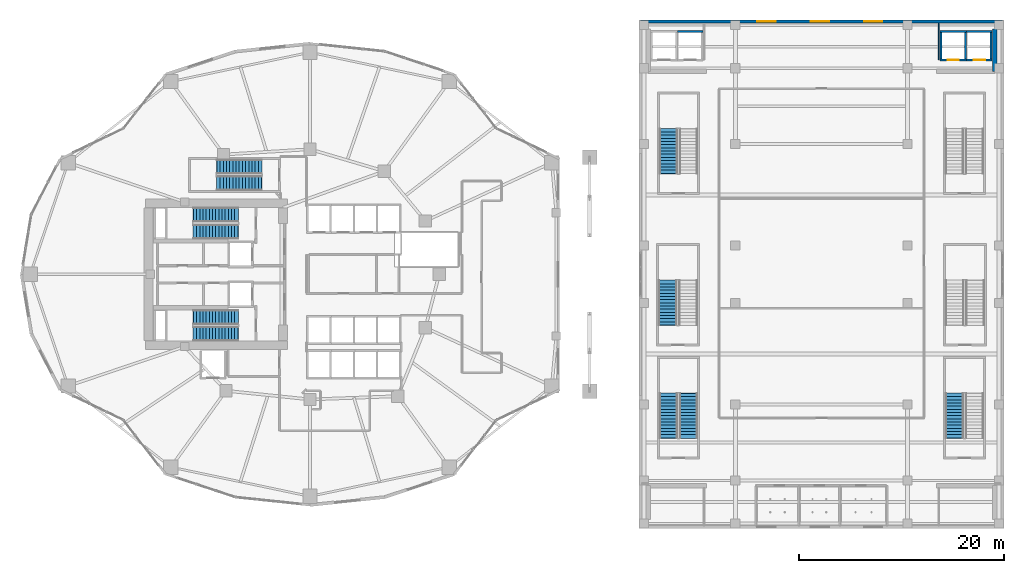
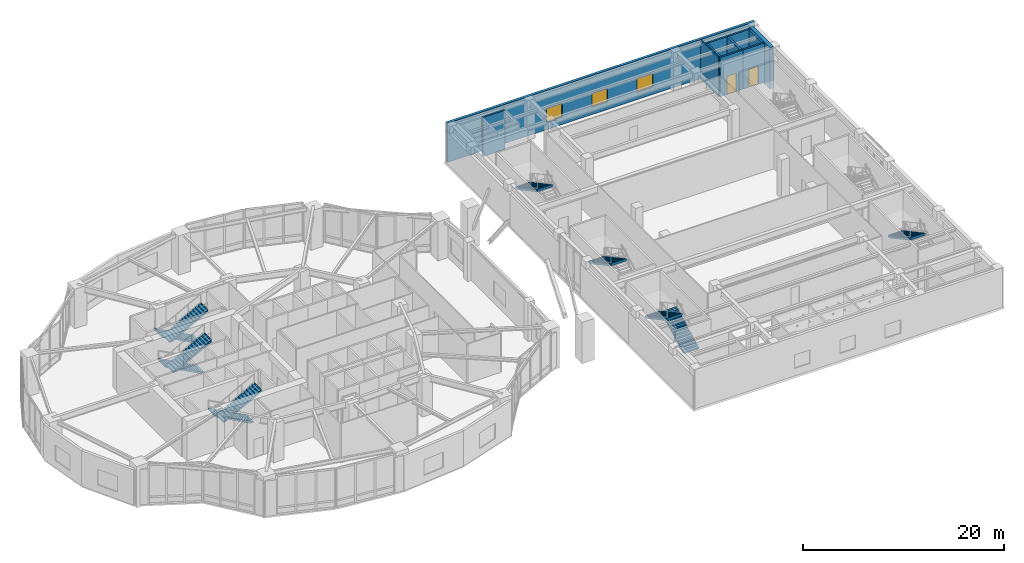
# One storey, part 19 of 24: 11 stair flights, 11 walls, 3 windows, 2 doors, 5 openings, 7 elements without a shape of their own.
"""IFC4 building model written with IfcOpenShell, lengths in metres."""

from ifc_helpers import new_model, si_unit, direction, frame, frame_2d, origin, place, context, subcontext, project, spatial, polyline, rectangle, outline, extrude, material, layer, layer_set, type_object, element, fill, aggregate, save


model = new_model("IFC4")

# Units and contexts
model_context = context("Model", 3, precision=1e-05, world=origin(), true_north=direction((0.0, 1.0)))
body_context = subcontext(model_context, "Body", "Model", "MODEL_VIEW")
ifc_project = project(units=[si_unit("LENGTHUNIT", "METRE"), si_unit("AREAUNIT", "SQUARE_METRE"), si_unit("VOLUMEUNIT", "CUBIC_METRE"), si_unit("PLANEANGLEUNIT", "RADIAN"), si_unit("MASSUNIT", "GRAM", prefix="KILO")], contexts=[model_context])

# Site, building, storey
site_placement = place(None, origin())
site = spatial("IfcSite", under=ifc_project, at=site_placement, CompositionType="ELEMENT")
building_placement = place(site_placement, origin())
building = spatial("IfcBuilding", under=site, at=building_placement, Name="Kolvaren Gate Tower and Convention Centre", CompositionType="ELEMENT")
storey_placement = place(building_placement, frame((0.0, 0.0, 10.0)))
storey = spatial("IfcBuildingStorey", under=building, at=storey_placement, Name="L02", CompositionType="ELEMENT", Elevation=10.0)

# Walls
ifc_material_1 = material(Name="Fire-Rated Acoustic Gypsum Stud Partition", Category="gypsum")
ifc_layer_1 = layer(ifc_material_1, 0.1201171875)
ifc_layer_set_1 = layer_set([ifc_layer_1], Name="Fire-Rated Acoustic Gypsum Stud Partition")
wall_type_1 = type_object("IfcWallType", Name="ARCH-WL-PART-120", PredefinedType="PARTITIONING", material=ifc_layer_set_1)
wall_1_placement = place(storey_placement, frame((91.449951171875, 47.89990234375, 0.0), z_axis=(0.0, 0.0, 1.0), x_axis=(0.0, 1.0, 0.0)))
element("IfcWall", 1, at=wall_1_placement, inside=storey, type_object=wall_type_1, Name="Interior Partition WL-L02-INT-052", PredefinedType="PARTITIONING", context=body_context, shape_type="SweptSolid", body=[
    extrude(rectangle(XDim=3.59814453125, YDim=0.1201171875, at=frame_2d((1.799072265625, 0.0))), origin(), (0.0, 0.0, 1.0), 4.760009765625),
])
ifc_material_2 = material(Name="Autoclaved Aerated Masonry Blockwork Class 4 (4.0 MPa)", Category="masonry")
ifc_layer_2 = layer(ifc_material_2, 0.199951171875)
ifc_layer_set_2 = layer_set([ifc_layer_2], Name="Autoclaved Aerated Masonry Blockwork Class 4 (4.0 MPa)")
wall_type_2 = type_object("IfcWallType", Name="ARCH-WL-SHAFT-200", PredefinedType="SOLIDWALL", material=ifc_layer_set_2)
wall_2_placement = place(storey_placement, frame((65.949951171875, 50.699951171875, 0.0), z_axis=(0.0, 0.0, 1.0), x_axis=(1.0, 0.0, 0.0)))
element("IfcWall", 2, at=wall_2_placement, inside=storey, type_object=wall_type_2, Name="Elevator CL-02 L02 Fire Shaft Wall N", PredefinedType="SOLIDWALL", context=body_context, shape_type="SweptSolid", body=[
    extrude(rectangle(XDim=2.5, YDim=0.199951171875, at=frame_2d((1.25, 0.0))), origin(), (0.0, 0.0, 1.0), 4.760009765625),
])
wall_3_placement = place(storey_placement, frame((91.550048828125, 50.699951171875, 0.0), z_axis=(0.0, 0.0, 1.0), x_axis=(1.0, 0.0, 0.0)))
element("IfcWall", 3, at=wall_3_placement, inside=storey, type_object=wall_type_2, Name="Elevator CL-03 L02 Fire Shaft Wall N", PredefinedType="SOLIDWALL", context=body_context, shape_type="SweptSolid", body=[
    extrude(rectangle(XDim=2.599853515625, YDim=0.199951171875, at=frame_2d((1.2998046875, 0.0))), origin(), (0.0, 0.0, 1.0), 4.760009765625),
])

# Wall, opening, door
wall_4_placement = place(storey_placement, frame((91.550048828125, 47.89990234375, 0.0), z_axis=(0.0, 0.0, 1.0), x_axis=(1.0, 0.0, 0.0)))
wall_4 = element("IfcWall", 4, at=wall_4_placement, inside=storey, type_object=wall_type_2, Name="Elevator CL-03 L02 Fire Shaft Wall S", PredefinedType="SOLIDWALL", context=body_context, shape_type="SweptSolid", body=[
    extrude(rectangle(XDim=2.599853515625, YDim=0.199951171875, at=frame_2d((1.2998046875, 0.0))), origin(), (0.0, 0.0, 1.0), 4.760009765625),
])
opening_1_placement = place(wall_4_placement, frame((0.75, 0.0, 0.0)))
opening_1 = element("IfcOpeningElement", 5, at=opening_1_placement, cuts=wall_4, Name="Opening LD", PredefinedType="OPENING", context=body_context, shape_type="SweptSolid", body=[
    extrude(rectangle(XDim=1.10009765625, YDim=2.199951171875, at=frame_2d((0.550048828125, 1.10009765625))), frame((0.0, 0.10986328125, 0.0), z_axis=(0.0, -1.0, 0.0), x_axis=(1.0, 0.0, 0.0)), (0.0, 0.0, 1.0), 0.219970703125),
])
ifc_material_3 = material(Name="Brushed Stainless Steel Grade 316L", Category="steel")
door_type = type_object("IfcDoorType", Name="ARCH-DR-LIFT-1100", OperationType="SLIDING_TO_LEFT", PredefinedType="DOOR", material=ifc_material_3)
door_1_placement = place(opening_1_placement, origin())
door_1 = element("IfcDoor", 6, at=door_1_placement, inside=storey, type_object=door_type, Name="Elevator CL-03 L02 Sliding Landing Door", OperationType="SLIDING_TO_LEFT", OverallHeight=2.199951171875, OverallWidth=1.10009765625, PredefinedType="DOOR", context=body_context, shape_type="SweptSolid", body=[
    extrude(rectangle(XDim=1.10009765625, YDim=2.199951171875, at=frame_2d((0.550048828125, 1.10009765625))), frame((0.0, 0.02490234375, 0.0), z_axis=(0.0, -1.0, 0.0), x_axis=(1.0, 0.0, 0.0)), (0.0, 0.0, 1.0), 0.050048828125),
])
fill(opening_1, door_1)

# Walls
for number, where, z_axis, x_axis, name in (
    (7, (91.64990234375, 48.010009765625, 0.0), (0.0, 0.0, 1.0), (0.0, 1.0, 0.0), "Elevator CL-03 L02 Fire Shaft Wall W"),
    (8, (94.050048828125, 48.010009765625, 0.0), (0.0, 0.0, 1.0), (0.0, 1.0, 0.0), "Elevator CL-03 L02 Fire Shaft Wall E"),
):
    element("IfcWall", number, at=place(storey_placement, frame(where, z_axis=z_axis, x_axis=x_axis)), inside=storey, type_object=wall_type_2, Name=name, PredefinedType="SOLIDWALL", context=body_context, shape_type="SweptSolid", body=[
        extrude(rectangle(XDim=2.580078125, YDim=0.199951171875, at=frame_2d((1.2900390625, 0.0))), origin(), (0.0, 0.0, 1.0), 4.760009765625),
    ])
wall_5_placement = place(storey_placement, frame((94.14990234375, 50.699951171875, 0.0), z_axis=(0.0, 0.0, 1.0), x_axis=(1.0, 0.0, 0.0)))
element("IfcWall", 9, at=wall_5_placement, inside=storey, type_object=wall_type_2, Name="Elevator CL-04 L02 Fire Shaft Wall N", PredefinedType="SOLIDWALL", context=body_context, shape_type="SweptSolid", body=[
    extrude(rectangle(XDim=2.5, YDim=0.199951171875, at=frame_2d((1.25, 0.0))), origin(), (0.0, 0.0, 1.0), 4.760009765625),
])

# Wall, opening, door
wall_6_placement = place(storey_placement, frame((94.14990234375, 47.89990234375, 0.0), z_axis=(0.0, 0.0, 1.0), x_axis=(1.0, 0.0, 0.0)))
wall_6 = element("IfcWall", 10, at=wall_6_placement, inside=storey, type_object=wall_type_2, Name="Elevator CL-04 L02 Fire Shaft Wall S", PredefinedType="SOLIDWALL", context=body_context, shape_type="SweptSolid", body=[
    extrude(rectangle(XDim=2.5, YDim=0.199951171875, at=frame_2d((1.25, 0.0))), origin(), (0.0, 0.0, 1.0), 4.760009765625),
])
opening_2_placement = place(wall_6_placement, frame((0.699951171875, 0.0, 0.0)))
opening_2 = element("IfcOpeningElement", 11, at=opening_2_placement, cuts=wall_6, Name="Opening LD", PredefinedType="OPENING", context=body_context, shape_type="SweptSolid", body=[
    extrude(rectangle(XDim=1.10009765625, YDim=2.199951171875, at=frame_2d((0.550048828125, 1.10009765625))), frame((0.0, 0.10986328125, 0.0), z_axis=(0.0, -1.0, 0.0), x_axis=(1.0, 0.0, 0.0)), (0.0, 0.0, 1.0), 0.219970703125),
])
door_2_placement = place(opening_2_placement, origin())
door_2 = element("IfcDoor", 12, at=door_2_placement, inside=storey, type_object=door_type, Name="Elevator CL-04 L02 Sliding Landing Door", OperationType="SLIDING_TO_LEFT", OverallHeight=2.199951171875, OverallWidth=1.10009765625, PredefinedType="DOOR", context=body_context, shape_type="SweptSolid", body=[
    extrude(rectangle(XDim=1.10009765625, YDim=2.199951171875, at=frame_2d((0.550048828125, 1.10009765625))), frame((0.0, 0.02490234375, 0.0), z_axis=(0.0, -1.0, 0.0), x_axis=(1.0, 0.0, 0.0)), (0.0, 0.0, 1.0), 0.050048828125),
])
fill(opening_2, door_2)

# Wall
wall_7_placement = place(storey_placement, frame((96.550048828125, 48.010009765625, 0.0), z_axis=(0.0, 0.0, 1.0), x_axis=(0.0, 1.0, 0.0)))
element("IfcWall", 13, at=wall_7_placement, inside=storey, type_object=wall_type_2, Name="Elevator CL-04 L02 Fire Shaft Wall E", PredefinedType="SOLIDWALL", context=body_context, shape_type="SweptSolid", body=[
    extrude(rectangle(XDim=2.580078125, YDim=0.199951171875, at=frame_2d((1.2900390625, 0.0))), origin(), (0.0, 0.0, 1.0), 4.760009765625),
])

# Wall, openings, windows
ifc_material_4 = material(Name="Piedmont Cream Honed Limestone Cladding", Category="masonry")
ifc_layer_3 = layer(ifc_material_4, 0.300048828125)
ifc_layer_set_3 = layer_set([ifc_layer_3], Name="Piedmont Cream Honed Limestone Cladding")
wall_type_3 = type_object("IfcWallType", Name="ARCH-WL-STONE-300", PredefinedType="SOLIDWALL", material=ifc_layer_set_3)
wall_8_placement = place(storey_placement, frame((62.35009765625, 51.64990234375, 0.0), z_axis=(0.0, 0.0, 1.0), x_axis=(1.0, 0.0, 0.0)))
wall_8 = element("IfcWall", 14, at=wall_8_placement, inside=storey, type_object=wall_type_3, Name="Convention Centre L02 N Stone Facade Wall", PredefinedType="SOLIDWALL", context=body_context, shape_type="SweptSolid", body=[
    extrude(rectangle(XDim=35.2998046875, YDim=0.300048828125, at=frame_2d((17.64990234375, 0.0))), origin(), (0.0, 0.0, 1.0), 4.760009765625),
])
opening_3_placement = place(wall_8_placement, frame((11.39990234375, 0.0, 0.89990234375)))
opening_3 = element("IfcOpeningElement", 15, at=opening_3_placement, cuts=wall_8, Name="Opening W-05", PredefinedType="OPENING", context=body_context, shape_type="SweptSolid", body=[
    extrude(rectangle(XDim=1.800048828125, YDim=1.64990234375, at=frame_2d((0.89990234375, 0.824951171875))), frame((0.0, 0.159912109375, 0.0), z_axis=(0.0, -1.0, 0.0), x_axis=(1.0, 0.0, 0.0)), (0.0, 0.0, 1.0), 0.320068359375),
])
opening_4_placement = place(wall_8_placement, frame((16.60009765625, 0.0, 0.89990234375)))
opening_4 = element("IfcOpeningElement", 16, at=opening_4_placement, cuts=wall_8, Name="Opening W-05", PredefinedType="OPENING", context=body_context, shape_type="SweptSolid", body=[
    extrude(rectangle(XDim=1.800048828125, YDim=1.64990234375, at=frame_2d((0.89990234375, 0.824951171875))), frame((0.0, 0.159912109375, 0.0), z_axis=(0.0, -1.0, 0.0), x_axis=(1.0, 0.0, 0.0)), (0.0, 0.0, 1.0), 0.320068359375),
])
opening_5_placement = place(wall_8_placement, frame((21.800048828125, 0.0, 0.89990234375)))
opening_5 = element("IfcOpeningElement", 17, at=opening_5_placement, cuts=wall_8, Name="Opening W-05", PredefinedType="OPENING", context=body_context, shape_type="SweptSolid", body=[
    extrude(rectangle(XDim=1.800048828125, YDim=1.64990234375, at=frame_2d((0.89990234375, 0.824951171875))), frame((0.0, 0.159912109375, 0.0), z_axis=(0.0, -1.0, 0.0), x_axis=(1.0, 0.0, 0.0)), (0.0, 0.0, 1.0), 0.320068359375),
])
ifc_material_5 = material(Name="Low-E Triple Insulated Glazing Unit 44 mm", Category="glass")
window_type = type_object("IfcWindowType", Name="ARCH-WN-CONV-1800", PartitioningType="SINGLE_PANEL", PredefinedType="WINDOW", material=ifc_material_5)
window_1_placement = place(opening_3_placement, origin())
window_1 = element("IfcWindow", 18, at=window_1_placement, inside=storey, type_object=window_type, Name="Convention L02 N Clerestory Window CW-1", OverallHeight=1.64990234375, OverallWidth=1.800048828125, PartitioningType="SINGLE_PANEL", PredefinedType="WINDOW", context=body_context, shape_type="SweptSolid", body=[
    extrude(rectangle(XDim=1.800048828125, YDim=1.64990234375, at=frame_2d((0.89990234375, 0.824951171875))), frame((0.0, 0.030029296875, 0.0), z_axis=(0.0, -1.0, 0.0), x_axis=(1.0, 0.0, 0.0)), (0.0, 0.0, 1.0), 0.06005859375),
])
fill(opening_3, window_1)
window_2_placement = place(opening_4_placement, origin())
window_2 = element("IfcWindow", 19, at=window_2_placement, inside=storey, type_object=window_type, Name="Convention L02 N Clerestory Window CW-2", OverallHeight=1.64990234375, OverallWidth=1.800048828125, PartitioningType="SINGLE_PANEL", PredefinedType="WINDOW", context=body_context, shape_type="SweptSolid", body=[
    extrude(rectangle(XDim=1.800048828125, YDim=1.64990234375, at=frame_2d((0.89990234375, 0.824951171875))), frame((0.0, 0.030029296875, 0.0), z_axis=(0.0, -1.0, 0.0), x_axis=(1.0, 0.0, 0.0)), (0.0, 0.0, 1.0), 0.06005859375),
])
fill(opening_4, window_2)
window_3_placement = place(opening_5_placement, origin())
window_3 = element("IfcWindow", 20, at=window_3_placement, inside=storey, type_object=window_type, Name="Convention L02 N Clerestory Window CW-3", OverallHeight=1.64990234375, OverallWidth=1.800048828125, PartitioningType="SINGLE_PANEL", PredefinedType="WINDOW", context=body_context, shape_type="SweptSolid", body=[
    extrude(rectangle(XDim=1.800048828125, YDim=1.64990234375, at=frame_2d((0.89990234375, 0.824951171875))), frame((0.0, 0.030029296875, 0.0), z_axis=(0.0, -1.0, 0.0), x_axis=(1.0, 0.0, 0.0)), (0.0, 0.0, 1.0), 0.06005859375),
])
fill(opening_5, window_3)

# Wall
ifc_material_6 = material(Name="Concrete C50/60", Category="concrete")
ifc_layer_4 = layer(ifc_material_6, 0.419921875)
ifc_layer_set_4 = layer_set([ifc_layer_4], Name="Concrete C50/60")
wall_type_4 = type_object("IfcWallType", Name="STR-WL-CONV-420", PredefinedType="SHEAR", material=ifc_layer_set_4)
wall_9_placement = place(storey_placement, frame((96.89990234375, 46.800048828125, -0.260009765625), z_axis=(0.0, 0.0, 1.0), x_axis=(0.0, 1.0, 0.0)))
element("IfcWall", 21, at=wall_9_placement, inside=storey, type_object=wall_type_4, Name="Convention L02 Shear Core Wall CCNE-E", PredefinedType="SHEAR", context=body_context, shape_type="SweptSolid", body=[
    extrude(rectangle(XDim=4.099853515625, YDim=0.419921875, at=frame_2d((2.0498046875, 0.0))), origin(), (0.0, 0.0, 1.0), 5.02001953125),
])

# Stair, stair flights
stair_type_1 = type_object("IfcStairType", Name="STR-STAIR-CORE", PredefinedType="HALF_TURN_STAIR", material=ifc_material_6)
stair_1_placement = place(storey_placement, origin())
stair_1 = element("IfcStair", 22, at=stair_1_placement, inside=storey, type_object=stair_type_1, Name="L02 Tower North Exit Stair ST-T1", PredefinedType="HALF_TURN_STAIR")
stair_flight_type_1 = type_object("IfcStairFlightType", Name="STR-SFL-1420", PredefinedType="STRAIGHT", material=ifc_material_6)
stair_flight_1_placement = place(storey_placement, frame((23.10009765625, 32.7900390625, 0.0), z_axis=(0.0, 0.0, 1.0), x_axis=(-1.0, 0.0, 0.0)))
stair_flight_1 = element("IfcStairFlight", 23, at=stair_flight_1_placement, type_object=stair_flight_type_1, Name="ST-T1 flight 1", NumberOfRisers=15, NumberOfTreads=14, PredefinedType="STRAIGHT", RiserHeight=0.166666667, TreadLength=0.31, context=body_context, shape_type="SweptSolid", body=[
    extrude(outline(polyline([(-0.034912109375, 0.0), (-0.034912109375, 0.166748046875), (0.31005859375, 0.166748046875), (0.31005859375, 0.333251953125), (0.6201171875, 0.333251953125), (0.6201171875, 0.5), (0.929931640625, 0.5), (0.929931640625, 0.666748046875), (1.239990234375, 0.666748046875), (1.239990234375, 0.833251953125), (1.550048828125, 0.833251953125), (1.550048828125, 1.0), (1.860107421875, 1.0), (1.860107421875, 1.166748046875), (2.169921875, 1.166748046875), (2.169921875, 1.333251953125), (2.47998046875, 1.333251953125), (2.47998046875, 1.5), (2.7900390625, 1.5), (2.7900390625, 1.666748046875), (3.10009765625, 1.666748046875), (3.10009765625, 1.833251953125), (3.409912109375, 1.833251953125), (3.409912109375, 2.0), (3.719970703125, 2.0), (3.719970703125, 2.166748046875), (4.030029296875, 2.166748046875), (4.030029296875, 2.333251953125), (4.340087890625, 2.333251953125), (4.340087890625, 2.5), (4.385009765625, 2.5), (4.385009765625, 2.340087890625), (4.340087890625, 2.1630859375), (0.316650390625, 0.0), (-0.034912109375, 0.0)])), frame((0.0, 0.7099609375, 0.0), z_axis=(0.0, -1.0, 0.0), x_axis=(1.0, 0.0, 0.0)), (0.0, 0.0, 1.0), 1.419921875),
])
stair_flight_2_placement = place(storey_placement, frame((18.760009765625, 31.169921875, 2.5), z_axis=(0.0, 0.0, 1.0), x_axis=(1.0, 0.0, 0.0)))
stair_flight_2 = element("IfcStairFlight", 24, at=stair_flight_2_placement, type_object=stair_flight_type_1, Name="ST-T1 flight 2", NumberOfRisers=15, NumberOfTreads=14, PredefinedType="STRAIGHT", RiserHeight=0.166666667, TreadLength=0.31, context=body_context, shape_type="SweptSolid", body=[
    extrude(outline(polyline([(-0.034912109375, 0.0), (-0.034912109375, 0.166748046875), (0.31005859375, 0.166748046875), (0.31005859375, 0.333251953125), (0.6201171875, 0.333251953125), (0.6201171875, 0.5), (0.929931640625, 0.5), (0.929931640625, 0.666748046875), (1.239990234375, 0.666748046875), (1.239990234375, 0.833251953125), (1.550048828125, 0.833251953125), (1.550048828125, 1.0), (1.860107421875, 1.0), (1.860107421875, 1.166748046875), (2.169921875, 1.166748046875), (2.169921875, 1.333251953125), (2.47998046875, 1.333251953125), (2.47998046875, 1.5), (2.7900390625, 1.5), (2.7900390625, 1.666748046875), (3.10009765625, 1.666748046875), (3.10009765625, 1.833251953125), (3.409912109375, 1.833251953125), (3.409912109375, 2.0), (3.719970703125, 2.0), (3.719970703125, 2.166748046875), (4.030029296875, 2.166748046875), (4.030029296875, 2.333251953125), (4.340087890625, 2.333251953125), (4.340087890625, 2.5), (4.385009765625, 2.5), (4.385009765625, 2.340087890625), (4.340087890625, 2.1630859375), (0.316650390625, 0.0), (-0.034912109375, 0.0)])), frame((0.0, 0.7099609375, 0.0), z_axis=(0.0, -1.0, 0.0), x_axis=(1.0, 0.0, 0.0)), (0.0, 0.0, 1.0), 1.419921875),
])
aggregate(stair_1, [stair_flight_1, stair_flight_2])

stair_2_placement = place(storey_placement, origin())
stair_2 = element("IfcStair", 25, at=stair_2_placement, inside=storey, type_object=stair_type_1, Name="L02 Tower South Exit Stair ST-T2", PredefinedType="HALF_TURN_STAIR")
stair_flight_3_placement = place(storey_placement, frame((23.10009765625, 22.830078125, 0.0), z_axis=(0.0, 0.0, 1.0), x_axis=(-1.0, 0.0, 0.0)))
stair_flight_3 = element("IfcStairFlight", 26, at=stair_flight_3_placement, type_object=stair_flight_type_1, Name="ST-T2 flight 1", NumberOfRisers=15, NumberOfTreads=14, PredefinedType="STRAIGHT", RiserHeight=0.166666667, TreadLength=0.31, context=body_context, shape_type="SweptSolid", body=[
    extrude(outline(polyline([(-0.034912109375, 0.0), (-0.034912109375, 0.166748046875), (0.31005859375, 0.166748046875), (0.31005859375, 0.333251953125), (0.6201171875, 0.333251953125), (0.6201171875, 0.5), (0.929931640625, 0.5), (0.929931640625, 0.666748046875), (1.239990234375, 0.666748046875), (1.239990234375, 0.833251953125), (1.550048828125, 0.833251953125), (1.550048828125, 1.0), (1.860107421875, 1.0), (1.860107421875, 1.166748046875), (2.169921875, 1.166748046875), (2.169921875, 1.333251953125), (2.47998046875, 1.333251953125), (2.47998046875, 1.5), (2.7900390625, 1.5), (2.7900390625, 1.666748046875), (3.10009765625, 1.666748046875), (3.10009765625, 1.833251953125), (3.409912109375, 1.833251953125), (3.409912109375, 2.0), (3.719970703125, 2.0), (3.719970703125, 2.166748046875), (4.030029296875, 2.166748046875), (4.030029296875, 2.333251953125), (4.340087890625, 2.333251953125), (4.340087890625, 2.5), (4.385009765625, 2.5), (4.385009765625, 2.340087890625), (4.340087890625, 2.1630859375), (0.316650390625, 0.0), (-0.034912109375, 0.0)])), frame((0.0, 0.7099609375, 0.0), z_axis=(0.0, -1.0, 0.0), x_axis=(1.0, 0.0, 0.0)), (0.0, 0.0, 1.0), 1.419921875),
])
stair_flight_4_placement = place(storey_placement, frame((18.760009765625, 21.2099609375, 2.5), z_axis=(0.0, 0.0, 1.0), x_axis=(1.0, 0.0, 0.0)))
stair_flight_4 = element("IfcStairFlight", 27, at=stair_flight_4_placement, type_object=stair_flight_type_1, Name="ST-T2 flight 2", NumberOfRisers=15, NumberOfTreads=14, PredefinedType="STRAIGHT", RiserHeight=0.166666667, TreadLength=0.31, context=body_context, shape_type="SweptSolid", body=[
    extrude(outline(polyline([(-0.034912109375, 0.0), (-0.034912109375, 0.166748046875), (0.31005859375, 0.166748046875), (0.31005859375, 0.333251953125), (0.6201171875, 0.333251953125), (0.6201171875, 0.5), (0.929931640625, 0.5), (0.929931640625, 0.666748046875), (1.239990234375, 0.666748046875), (1.239990234375, 0.833251953125), (1.550048828125, 0.833251953125), (1.550048828125, 1.0), (1.860107421875, 1.0), (1.860107421875, 1.166748046875), (2.169921875, 1.166748046875), (2.169921875, 1.333251953125), (2.47998046875, 1.333251953125), (2.47998046875, 1.5), (2.7900390625, 1.5), (2.7900390625, 1.666748046875), (3.10009765625, 1.666748046875), (3.10009765625, 1.833251953125), (3.409912109375, 1.833251953125), (3.409912109375, 2.0), (3.719970703125, 2.0), (3.719970703125, 2.166748046875), (4.030029296875, 2.166748046875), (4.030029296875, 2.333251953125), (4.340087890625, 2.333251953125), (4.340087890625, 2.5), (4.385009765625, 2.5), (4.385009765625, 2.340087890625), (4.340087890625, 2.1630859375), (0.316650390625, 0.0), (-0.034912109375, 0.0)])), frame((0.0, 0.7099609375, 0.0), z_axis=(0.0, -1.0, 0.0), x_axis=(1.0, 0.0, 0.0)), (0.0, 0.0, 1.0), 1.419921875),
])
aggregate(stair_2, [stair_flight_3, stair_flight_4])

stair_3_placement = place(storey_placement, origin())
stair_3 = element("IfcStair", 28, at=stair_3_placement, inside=storey, type_object=stair_type_1, Name="L02 Tower Mid-Zone Exit Stair ST-T3", PredefinedType="HALF_TURN_STAIR")
stair_flight_5_placement = place(storey_placement, frame((25.39990234375, 37.489990234375, 0.0), z_axis=(0.0, 0.0, 1.0), x_axis=(-1.0, 0.0, 0.0)))
stair_flight_5 = element("IfcStairFlight", 29, at=stair_flight_5_placement, type_object=stair_flight_type_1, Name="ST-T3 flight 1", NumberOfRisers=15, NumberOfTreads=14, PredefinedType="STRAIGHT", RiserHeight=0.166666667, TreadLength=0.31, context=body_context, shape_type="SweptSolid", body=[
    extrude(outline(polyline([(-0.034912109375, 0.0), (-0.034912109375, 0.166748046875), (0.31005859375, 0.166748046875), (0.31005859375, 0.333251953125), (0.6201171875, 0.333251953125), (0.6201171875, 0.5), (0.929931640625, 0.5), (0.929931640625, 0.666748046875), (1.239990234375, 0.666748046875), (1.239990234375, 0.833251953125), (1.550048828125, 0.833251953125), (1.550048828125, 1.0), (1.860107421875, 1.0), (1.860107421875, 1.166748046875), (2.169921875, 1.166748046875), (2.169921875, 1.333251953125), (2.47998046875, 1.333251953125), (2.47998046875, 1.5), (2.7900390625, 1.5), (2.7900390625, 1.666748046875), (3.10009765625, 1.666748046875), (3.10009765625, 1.833251953125), (3.409912109375, 1.833251953125), (3.409912109375, 2.0), (3.719970703125, 2.0), (3.719970703125, 2.166748046875), (4.030029296875, 2.166748046875), (4.030029296875, 2.333251953125), (4.340087890625, 2.333251953125), (4.340087890625, 2.5), (4.385009765625, 2.5), (4.385009765625, 2.340087890625), (4.340087890625, 2.1630859375), (0.316650390625, 0.0), (-0.034912109375, 0.0)])), frame((0.0, 0.7099609375, 0.0), z_axis=(0.0, -1.0, 0.0), x_axis=(1.0, 0.0, 0.0)), (0.0, 0.0, 1.0), 1.419921875),
])
stair_flight_6_placement = place(storey_placement, frame((21.06005859375, 35.8701171875, 2.5), z_axis=(0.0, 0.0, 1.0), x_axis=(1.0, 0.0, 0.0)))
stair_flight_6 = element("IfcStairFlight", 30, at=stair_flight_6_placement, type_object=stair_flight_type_1, Name="ST-T3 flight 2", NumberOfRisers=15, NumberOfTreads=14, PredefinedType="STRAIGHT", RiserHeight=0.166666667, TreadLength=0.31, context=body_context, shape_type="SweptSolid", body=[
    extrude(outline(polyline([(-0.034912109375, 0.0), (-0.034912109375, 0.166748046875), (0.31005859375, 0.166748046875), (0.31005859375, 0.333251953125), (0.6201171875, 0.333251953125), (0.6201171875, 0.5), (0.929931640625, 0.5), (0.929931640625, 0.666748046875), (1.239990234375, 0.666748046875), (1.239990234375, 0.833251953125), (1.550048828125, 0.833251953125), (1.550048828125, 1.0), (1.860107421875, 1.0), (1.860107421875, 1.166748046875), (2.169921875, 1.166748046875), (2.169921875, 1.333251953125), (2.47998046875, 1.333251953125), (2.47998046875, 1.5), (2.7900390625, 1.5), (2.7900390625, 1.666748046875), (3.10009765625, 1.666748046875), (3.10009765625, 1.833251953125), (3.409912109375, 1.833251953125), (3.409912109375, 2.0), (3.719970703125, 2.0), (3.719970703125, 2.166748046875), (4.030029296875, 2.166748046875), (4.030029296875, 2.333251953125), (4.340087890625, 2.333251953125), (4.340087890625, 2.5), (4.385009765625, 2.5), (4.385009765625, 2.340087890625), (4.340087890625, 2.1630859375), (0.316650390625, 0.0), (-0.034912109375, 0.0)])), frame((0.0, 0.7099609375, 0.0), z_axis=(0.0, -1.0, 0.0), x_axis=(1.0, 0.0, 0.0)), (0.0, 0.0, 1.0), 1.419921875),
])
aggregate(stair_3, [stair_flight_5, stair_flight_6])

# Stair, stair flight
stair_type_2 = type_object("IfcStairType", Name="STR-STAIR-CONV", PredefinedType="HALF_TURN_STAIR", material=ifc_material_6)
stair_4_placement = place(storey_placement, origin())
stair_4 = element("IfcStair", 31, at=stair_4_placement, inside=storey, type_object=stair_type_2, Name="L02 Convention NW Exit Stair ST-C1", PredefinedType="HALF_TURN_STAIR")
stair_flight_type_2 = type_object("IfcStairFlightType", Name="STR-SFL-1750", PredefinedType="STRAIGHT", material=ifc_material_6)
stair_flight_7_placement = place(storey_placement, frame((65.074951171875, 41.18994140625, 2.5), z_axis=(0.0, 0.0, 1.0), x_axis=(0.0, -1.0, 0.0)))
stair_flight_7 = element("IfcStairFlight", 32, at=stair_flight_7_placement, type_object=stair_flight_type_2, Name="ST-C1 flight 2", NumberOfRisers=15, NumberOfTreads=14, PredefinedType="STRAIGHT", RiserHeight=0.166666667, TreadLength=0.31, context=body_context, shape_type="SweptSolid", body=[
    extrude(outline(polyline([(-0.034912109375, 0.0), (-0.034912109375, 0.166748046875), (0.31005859375, 0.166748046875), (0.31005859375, 0.333251953125), (0.6201171875, 0.333251953125), (0.6201171875, 0.5), (0.929931640625, 0.5), (0.929931640625, 0.666748046875), (1.239990234375, 0.666748046875), (1.239990234375, 0.833251953125), (1.550048828125, 0.833251953125), (1.550048828125, 1.0), (1.860107421875, 1.0), (1.860107421875, 1.166748046875), (2.169921875, 1.166748046875), (2.169921875, 1.333251953125), (2.47998046875, 1.333251953125), (2.47998046875, 1.5), (2.7900390625, 1.5), (2.7900390625, 1.666748046875), (3.10009765625, 1.666748046875), (3.10009765625, 1.833251953125), (3.409912109375, 1.833251953125), (3.409912109375, 2.0), (3.719970703125, 2.0), (3.719970703125, 2.166748046875), (4.030029296875, 2.166748046875), (4.030029296875, 2.333251953125), (4.340087890625, 2.333251953125), (4.340087890625, 2.5), (4.385009765625, 2.5), (4.385009765625, 2.340087890625), (4.340087890625, 2.1630859375), (0.316650390625, 0.0), (-0.034912109375, 0.0)])), frame((0.0, 0.875, 0.0), z_axis=(0.0, -1.0, 0.0), x_axis=(1.0, 0.0, 0.0)), (0.0, 0.0, 1.0), 1.75),
])
aggregate(stair_4, [stair_flight_7])

# Stair, stair flights
stair_5_placement = place(storey_placement, origin())
stair_5 = element("IfcStair", 33, at=stair_5_placement, inside=storey, type_object=stair_type_2, Name="L02 Convention SW Exit Stair ST-C2", PredefinedType="HALF_TURN_STAIR")
stair_flight_8_placement = place(storey_placement, frame((67.02490234375, 11.050048828125, 0.0), z_axis=(0.0, 0.0, 1.0), x_axis=(0.0, 1.0, 0.0)))
stair_flight_8 = element("IfcStairFlight", 34, at=stair_flight_8_placement, type_object=stair_flight_type_2, Name="ST-C2 flight 1", NumberOfRisers=15, NumberOfTreads=14, PredefinedType="STRAIGHT", RiserHeight=0.166666667, TreadLength=0.31, context=body_context, shape_type="SweptSolid", body=[
    extrude(outline(polyline([(-0.034912109375, 0.0), (-0.034912109375, 0.166748046875), (0.31005859375, 0.166748046875), (0.31005859375, 0.333251953125), (0.6201171875, 0.333251953125), (0.6201171875, 0.5), (0.929931640625, 0.5), (0.929931640625, 0.666748046875), (1.239990234375, 0.666748046875), (1.239990234375, 0.833251953125), (1.550048828125, 0.833251953125), (1.550048828125, 1.0), (1.860107421875, 1.0), (1.860107421875, 1.166748046875), (2.169921875, 1.166748046875), (2.169921875, 1.333251953125), (2.47998046875, 1.333251953125), (2.47998046875, 1.5), (2.7900390625, 1.5), (2.7900390625, 1.666748046875), (3.10009765625, 1.666748046875), (3.10009765625, 1.833251953125), (3.409912109375, 1.833251953125), (3.409912109375, 2.0), (3.719970703125, 2.0), (3.719970703125, 2.166748046875), (4.030029296875, 2.166748046875), (4.030029296875, 2.333251953125), (4.340087890625, 2.333251953125), (4.340087890625, 2.5), (4.385009765625, 2.5), (4.385009765625, 2.340087890625), (4.340087890625, 2.1630859375), (0.316650390625, 0.0), (-0.034912109375, 0.0)])), frame((0.0, 0.875, 0.0), z_axis=(0.0, -1.0, 0.0), x_axis=(1.0, 0.0, 0.0)), (0.0, 0.0, 1.0), 1.75),
])
stair_flight_9_placement = place(storey_placement, frame((65.074951171875, 15.389892578125, 2.5), z_axis=(0.0, 0.0, 1.0), x_axis=(0.0, -1.0, 0.0)))
stair_flight_9 = element("IfcStairFlight", 35, at=stair_flight_9_placement, type_object=stair_flight_type_2, Name="ST-C2 flight 2", NumberOfRisers=15, NumberOfTreads=14, PredefinedType="STRAIGHT", RiserHeight=0.166666667, TreadLength=0.31, context=body_context, shape_type="SweptSolid", body=[
    extrude(outline(polyline([(-0.034912109375, 0.0), (-0.034912109375, 0.166748046875), (0.31005859375, 0.166748046875), (0.31005859375, 0.333251953125), (0.6201171875, 0.333251953125), (0.6201171875, 0.5), (0.929931640625, 0.5), (0.929931640625, 0.666748046875), (1.239990234375, 0.666748046875), (1.239990234375, 0.833251953125), (1.550048828125, 0.833251953125), (1.550048828125, 1.0), (1.860107421875, 1.0), (1.860107421875, 1.166748046875), (2.169921875, 1.166748046875), (2.169921875, 1.333251953125), (2.47998046875, 1.333251953125), (2.47998046875, 1.5), (2.7900390625, 1.5), (2.7900390625, 1.666748046875), (3.10009765625, 1.666748046875), (3.10009765625, 1.833251953125), (3.409912109375, 1.833251953125), (3.409912109375, 2.0), (3.719970703125, 2.0), (3.719970703125, 2.166748046875), (4.030029296875, 2.166748046875), (4.030029296875, 2.333251953125), (4.340087890625, 2.333251953125), (4.340087890625, 2.5), (4.385009765625, 2.5), (4.385009765625, 2.340087890625), (4.340087890625, 2.1630859375), (0.316650390625, 0.0), (-0.034912109375, 0.0)])), frame((0.0, 0.875, 0.0), z_axis=(0.0, -1.0, 0.0), x_axis=(1.0, 0.0, 0.0)), (0.0, 0.0, 1.0), 1.75),
])
aggregate(stair_5, [stair_flight_8, stair_flight_9])

# Stair, stair flight
stair_6_placement = place(storey_placement, origin())
stair_6 = element("IfcStair", 36, at=stair_6_placement, inside=storey, type_object=stair_type_2, Name="L02 Convention SE Exit Stair ST-C4", PredefinedType="HALF_TURN_STAIR")
stair_flight_10_placement = place(storey_placement, frame((92.97509765625, 15.389892578125, 2.5), z_axis=(0.0, 0.0, 1.0), x_axis=(0.0, -1.0, 0.0)))
stair_flight_10 = element("IfcStairFlight", 37, at=stair_flight_10_placement, type_object=stair_flight_type_2, Name="ST-C4 flight 2", NumberOfRisers=15, NumberOfTreads=14, PredefinedType="STRAIGHT", RiserHeight=0.166666667, TreadLength=0.31, context=body_context, shape_type="SweptSolid", body=[
    extrude(outline(polyline([(-0.034912109375, 0.0), (-0.034912109375, 0.166748046875), (0.31005859375, 0.166748046875), (0.31005859375, 0.333251953125), (0.6201171875, 0.333251953125), (0.6201171875, 0.5), (0.929931640625, 0.5), (0.929931640625, 0.666748046875), (1.239990234375, 0.666748046875), (1.239990234375, 0.833251953125), (1.550048828125, 0.833251953125), (1.550048828125, 1.0), (1.860107421875, 1.0), (1.860107421875, 1.166748046875), (2.169921875, 1.166748046875), (2.169921875, 1.333251953125), (2.47998046875, 1.333251953125), (2.47998046875, 1.5), (2.7900390625, 1.5), (2.7900390625, 1.666748046875), (3.10009765625, 1.666748046875), (3.10009765625, 1.833251953125), (3.409912109375, 1.833251953125), (3.409912109375, 2.0), (3.719970703125, 2.0), (3.719970703125, 2.166748046875), (4.030029296875, 2.166748046875), (4.030029296875, 2.333251953125), (4.340087890625, 2.333251953125), (4.340087890625, 2.5), (4.385009765625, 2.5), (4.385009765625, 2.340087890625), (4.340087890625, 2.1630859375), (0.316650390625, 0.0), (-0.034912109375, 0.0)])), frame((0.0, 0.875, 0.0), z_axis=(0.0, -1.0, 0.0), x_axis=(1.0, 0.0, 0.0)), (0.0, 0.0, 1.0), 1.75),
])
aggregate(stair_6, [stair_flight_10])

stair_7_placement = place(storey_placement, origin())
stair_7 = element("IfcStair", 38, at=stair_7_placement, inside=storey, type_object=stair_type_2, Name="L02 Convention West Assembly Stair ST-C5", PredefinedType="HALF_TURN_STAIR")
stair_flight_11_placement = place(storey_placement, frame((65.0, 26.389892578125, 2.5), z_axis=(0.0, 0.0, 1.0), x_axis=(0.0, -1.0, 0.0)))
stair_flight_11 = element("IfcStairFlight", 39, at=stair_flight_11_placement, type_object=stair_flight_type_2, Name="ST-C5 flight 2", NumberOfRisers=15, NumberOfTreads=14, PredefinedType="STRAIGHT", RiserHeight=0.166666667, TreadLength=0.31, context=body_context, shape_type="SweptSolid", body=[
    extrude(outline(polyline([(-0.034912109375, 0.0), (-0.034912109375, 0.166748046875), (0.31005859375, 0.166748046875), (0.31005859375, 0.333251953125), (0.6201171875, 0.333251953125), (0.6201171875, 0.5), (0.929931640625, 0.5), (0.929931640625, 0.666748046875), (1.239990234375, 0.666748046875), (1.239990234375, 0.833251953125), (1.550048828125, 0.833251953125), (1.550048828125, 1.0), (1.860107421875, 1.0), (1.860107421875, 1.166748046875), (2.169921875, 1.166748046875), (2.169921875, 1.333251953125), (2.47998046875, 1.333251953125), (2.47998046875, 1.5), (2.7900390625, 1.5), (2.7900390625, 1.666748046875), (3.10009765625, 1.666748046875), (3.10009765625, 1.833251953125), (3.409912109375, 1.833251953125), (3.409912109375, 2.0), (3.719970703125, 2.0), (3.719970703125, 2.166748046875), (4.030029296875, 2.166748046875), (4.030029296875, 2.333251953125), (4.340087890625, 2.333251953125), (4.340087890625, 2.5), (4.385009765625, 2.5), (4.385009765625, 2.340087890625), (4.340087890625, 2.1630859375), (0.316650390625, 0.0), (-0.034912109375, 0.0)])), frame((0.0, 0.89990234375, 0.0), z_axis=(0.0, -1.0, 0.0), x_axis=(1.0, 0.0, 0.0)), (0.0, 0.0, 1.0), 1.800048828125),
])
aggregate(stair_7, [stair_flight_11])

save(model, "model.ifc")
